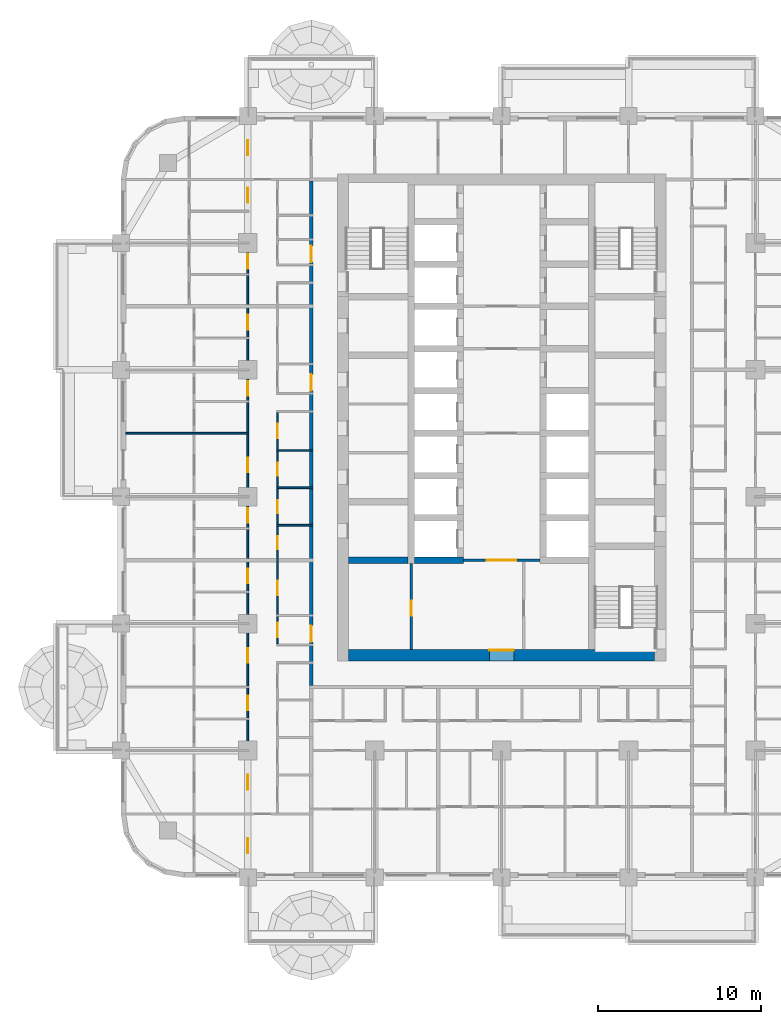
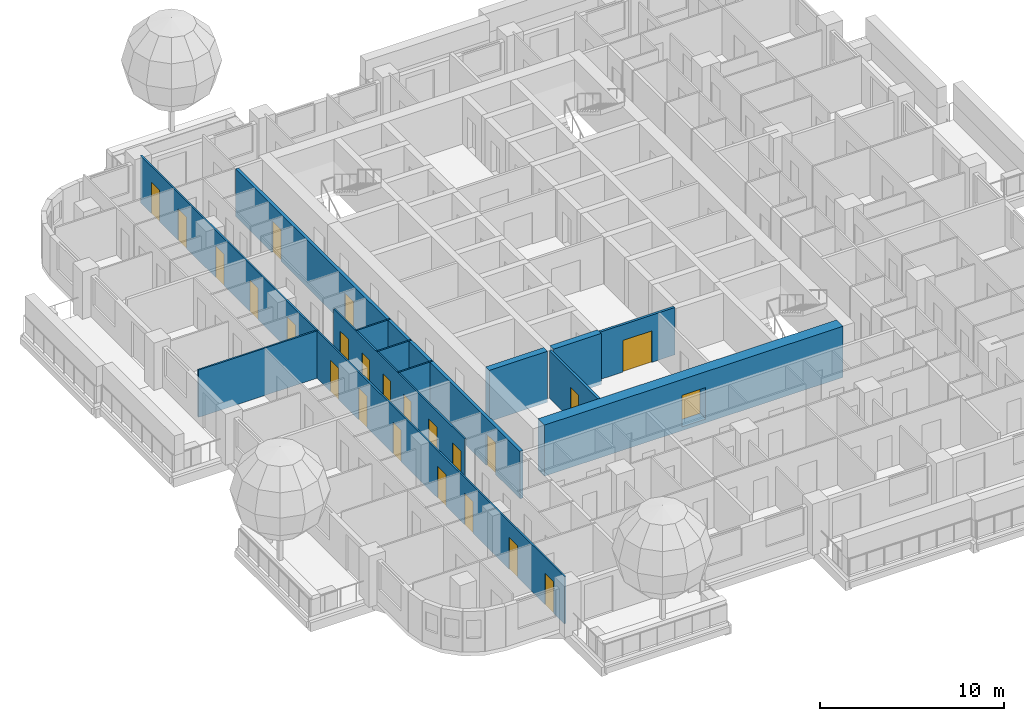
# One storey, part 6 of 19: 24 doors, 12 walls, 24 openings.
"""IFC4 building model written with IfcOpenShell, lengths in metres."""

from ifc_helpers import new_model, si_unit, direction, frame, frame_2d, origin, place, context, subcontext, project, spatial, rectangle, extrude, material, layer, layer_set, type_object, element, fill, save


model = new_model("IFC4")

# Units and contexts
model_context = context("Model", 3, precision=1e-05, world=origin(), true_north=direction((0.0, 1.0)))
body_context = subcontext(model_context, "Body", "Model", "MODEL_VIEW")
ifc_project = project(units=[si_unit("LENGTHUNIT", "METRE"), si_unit("AREAUNIT", "SQUARE_METRE"), si_unit("VOLUMEUNIT", "CUBIC_METRE"), si_unit("PLANEANGLEUNIT", "RADIAN"), si_unit("MASSUNIT", "GRAM", prefix="KILO")], contexts=[model_context])

# Site, building, storey
site_placement = place(None, origin())
site = spatial("IfcSite", under=ifc_project, at=site_placement, CompositionType="ELEMENT")
building_placement = place(site_placement, origin())
building = spatial("IfcBuilding", under=site, at=building_placement, Name="Ludao Terraces", CompositionType="ELEMENT")
storey_placement = place(building_placement, frame((0.0, 0.0, 36.5)))
storey = spatial("IfcBuildingStorey", under=building, at=storey_placement, Name="L09", CompositionType="ELEMENT", Elevation=36.5)

# Wall, opening, door
ifc_material_1 = material(Name="Concrete C70", Category="concrete")
ifc_layer_1 = layer(ifc_material_1, 0.699951171875)
ifc_layer_set_1 = layer_set([ifc_layer_1], Name="Core wall 700 C70")
wall_type_1 = type_object("IfcWallType", Name="Core wall 700 C70", PredefinedType="SOLIDWALL", material=ifc_layer_set_1)
wall_1_placement = place(storey_placement, frame((75.60009765625, 55.25, -0.25), z_axis=(0.0, 0.0, 1.0), x_axis=(1.0, 0.0, 0.0)))
wall_1 = element("IfcWall", 1, at=wall_1_placement, inside=storey, type_object=wall_type_1, Name="Core wall L09 outer-S", PredefinedType="SOLIDWALL", context=body_context, shape_type="SweptSolid", body=[
    extrude(rectangle(XDim=18.7998046875, YDim=0.699951171875, at=frame_2d((9.39990234375, 0.0))), origin(), (0.0, 0.0, 1.0), 3.39990234375),
])
opening_1_placement = place(wall_1_placement, frame((8.64990234375, 0.0, 0.25)))
opening_1 = element("IfcOpeningElement", 2, at=opening_1_placement, cuts=wall_1, Name="Opening R02-053", PredefinedType="OPENING", context=body_context, shape_type="SweptSolid", body=[
    extrude(rectangle(XDim=1.5, YDim=2.10009765625, at=frame_2d((0.75, 1.050048828125))), frame((0.0, 0.35986328125, 0.0), z_axis=(0.0, -1.0, 0.0), x_axis=(1.0, 0.0, 0.0)), (0.0, 0.0, 1.0), 0.719970703125),
])
ifc_material_2 = material(Name="Steel Q235", Category="steel")
door_type_1 = type_object("IfcDoorType", Name="INT Lobby door 1500", OperationType="DOUBLE_DOOR_SINGLE_SWING", PredefinedType="DOOR", material=ifc_material_2)
door_1_placement = place(opening_1_placement, origin())
door_1 = element("IfcDoor", 3, at=door_1_placement, inside=storey, type_object=door_type_1, Name="DOOR 053", OperationType="DOUBLE_DOOR_SINGLE_SWING", OverallHeight=2.10009765625, OverallWidth=1.5, PredefinedType="DOOR", context=body_context, shape_type="SweptSolid", body=[
    extrude(rectangle(XDim=1.5, YDim=2.10009765625, at=frame_2d((0.75, 1.050048828125))), frame((0.0, 0.3349609375, 0.0), z_axis=(0.0, -1.0, 0.0), x_axis=(1.0, 0.0, 0.0)), (0.0, 0.0, 1.0), 0.050048828125),
])
fill(opening_1, door_1)

ifc_material_3 = material(Name="Fire-rated gypsum plasterboard", Category="gypsum")
ifc_layer_2 = layer(ifc_material_3, 0.012451171875, Category="gypsum")
ifc_material_4 = material(Name="Mineral wool")
ifc_layer_3 = layer(ifc_material_4, 0.10009765625, Name="insulation")
ifc_layer_4 = layer(ifc_material_2, 0.02490234375, Name="stud")
ifc_layer_5 = layer(ifc_material_3, 0.012451171875, Category="gypsum")
ifc_layer_set_2 = layer_set([ifc_layer_2, ifc_layer_3, ifc_layer_4, ifc_layer_5], Name="INT Core partition 150")
wall_type_2 = type_object("IfcWallType", Name="INT Core partition 150", PredefinedType="PARTITIONING", material=ifc_layer_set_2)
wall_2_placement = place(storey_placement, frame((82.650146484375, 61.10009765625, 0.0), z_axis=(0.0, 0.0, 1.0), x_axis=(1.0, 0.0, 0.0)))
wall_2 = element("IfcWall", 4, at=wall_2_placement, inside=storey, type_object=wall_type_2, Name="PW-L09-PW032", PredefinedType="PARTITIONING", context=body_context, shape_type="SweptSolid", body=[
    extrude(rectangle(XDim=4.699951171875, YDim=0.14990234375, at=frame_2d((2.35009765625, 0.0))), origin(), (0.0, 0.0, 1.0), 3.14990234375),
])
opening_2_placement = place(wall_2_placement, frame((1.449951171875, 0.0, 0.0)))
opening_2 = element("IfcOpeningElement", 5, at=opening_2_placement, cuts=wall_2, Name="Opening R02-071", PredefinedType="OPENING", context=body_context, shape_type="SweptSolid", body=[
    extrude(rectangle(XDim=1.800048828125, YDim=2.10009765625, at=frame_2d((0.89990234375, 1.050048828125))), frame((0.0, 0.0849609375, 0.0), z_axis=(0.0, -1.0, 0.0), x_axis=(1.0, 0.0, 0.0)), (0.0, 0.0, 1.0), 0.169921875),
])
door_type_2 = type_object("IfcDoorType", Name="INT Fire lobby door 1800", OperationType="DOUBLE_DOOR_SINGLE_SWING", PredefinedType="DOOR", material=ifc_material_2)
door_2_placement = place(opening_2_placement, origin())
door_2 = element("IfcDoor", 6, at=door_2_placement, inside=storey, type_object=door_type_2, Name="DOOR 071", OperationType="DOUBLE_DOOR_SINGLE_SWING", OverallHeight=2.10009765625, OverallWidth=1.800048828125, PredefinedType="DOOR", context=body_context, shape_type="SweptSolid", body=[
    extrude(rectangle(XDim=1.800048828125, YDim=2.10009765625, at=frame_2d((0.89990234375, 1.050048828125))), frame((0.0, 0.02490234375, 0.0), z_axis=(0.0, -1.0, 0.0), x_axis=(1.0, 0.0, 0.0)), (0.0, 0.0, 1.0), 0.050048828125),
])
fill(opening_2, door_2)

wall_3_placement = place(storey_placement, frame((79.449951171875, 55.60009765625, 0.0), z_axis=(0.0, 0.0, 1.0), x_axis=(0.0, 1.0, 0.0)))
wall_3 = element("IfcWall", 7, at=wall_3_placement, inside=storey, type_object=wall_type_2, Name="PW-L09-PW097", PredefinedType="PARTITIONING", context=body_context, shape_type="SweptSolid", body=[
    extrude(rectangle(XDim=5.300048828125, YDim=0.14990234375, at=frame_2d((2.64990234375, 0.0))), origin(), (0.0, 0.0, 1.0), 3.14990234375),
])
opening_3_placement = place(wall_3_placement, frame((2.10009765625, 0.0, 0.0)))
opening_3 = element("IfcOpeningElement", 8, at=opening_3_placement, cuts=wall_3, Name="Opening R02-061", PredefinedType="OPENING", context=body_context, shape_type="SweptSolid", body=[
    extrude(rectangle(XDim=0.89990234375, YDim=2.10009765625, at=frame_2d((0.449951171875, 1.050048828125))), frame((0.0, 0.0849609375, 0.0), z_axis=(0.0, -1.0, 0.0), x_axis=(1.0, 0.0, 0.0)), (0.0, 0.0, 1.0), 0.169921875),
])
ifc_material_5 = material(Name="Timber door leaf", Category="wood")
door_type_3 = type_object("IfcDoorType", Name="INT Room door 900", OperationType="SINGLE_SWING_LEFT", PredefinedType="DOOR", material=ifc_material_5)
door_3_placement = place(opening_3_placement, origin())
door_3 = element("IfcDoor", 9, at=door_3_placement, inside=storey, type_object=door_type_3, Name="DOOR 061", OperationType="SINGLE_SWING_LEFT", OverallHeight=2.10009765625, OverallWidth=0.89990234375, PredefinedType="DOOR", context=body_context, shape_type="SweptSolid", body=[
    extrude(rectangle(XDim=0.89990234375, YDim=2.10009765625, at=frame_2d((0.449951171875, 1.050048828125))), frame((0.0, 0.02490234375, 0.0), z_axis=(0.0, -1.0, 0.0), x_axis=(1.0, 0.0, 0.0)), (0.0, 0.0, 1.0), 0.050048828125),
])
fill(opening_3, door_3)

# Wall, openings, doors
ifc_material_6 = material(Name="Autoclaved aerated concrete block B06 A3.5", Category="concrete")
ifc_layer_6 = layer(ifc_material_6, 0.199951171875)
ifc_layer_set_3 = layer_set([ifc_layer_6], Name="INT Entrance wall 200")
wall_type_3 = type_object("IfcWallType", Name="INT Entrance wall 200", PredefinedType="PARTITIONING", material=ifc_layer_set_3)
wall_4_placement = place(storey_placement, frame((73.300048828125, 53.400146484375, 0.0), z_axis=(0.0, 0.0, 1.0), x_axis=(0.0, 1.0, 0.0)))
wall_4 = element("IfcWall", 10, at=wall_4_placement, inside=storey, type_object=wall_type_3, Name="PW-L09-PW089", PredefinedType="PARTITIONING", context=body_context, shape_type="SweptSolid", body=[
    extrude(rectangle(XDim=31.0, YDim=0.199951171875, at=frame_2d((15.5, 0.0))), origin(), (0.0, 0.0, 1.0), 3.14990234375),
])
opening_4_placement = place(wall_4_placement, frame((2.675048828125, 0.0, 0.0)))
opening_4 = element("IfcOpeningElement", 11, at=opening_4_placement, cuts=wall_4, Name="Opening R02-058", PredefinedType="OPENING", context=body_context, shape_type="SweptSolid", body=[
    extrude(rectangle(XDim=1.0, YDim=2.10009765625, at=frame_2d((0.5, 1.050048828125))), frame((0.0, 0.10986328125, 0.0), z_axis=(0.0, -1.0, 0.0), x_axis=(1.0, 0.0, 0.0)), (0.0, 0.0, 1.0), 0.219970703125),
])
opening_5_placement = place(wall_4_placement, frame((18.125, 0.0, 0.0)))
opening_5 = element("IfcOpeningElement", 12, at=opening_5_placement, cuts=wall_4, Name="Opening R02-107", PredefinedType="OPENING", context=body_context, shape_type="SweptSolid", body=[
    extrude(rectangle(XDim=1.0, YDim=2.10009765625, at=frame_2d((0.5, 1.050048828125))), frame((0.0, 0.10986328125, 0.0), z_axis=(0.0, -1.0, 0.0), x_axis=(1.0, 0.0, 0.0)), (0.0, 0.0, 1.0), 0.219970703125),
])
opening_6_placement = place(wall_4_placement, frame((26.02490234375, 0.0, 0.0)))
opening_6 = element("IfcOpeningElement", 13, at=opening_6_placement, cuts=wall_4, Name="Opening R02-140", PredefinedType="OPENING", context=body_context, shape_type="SweptSolid", body=[
    extrude(rectangle(XDim=1.0, YDim=2.10009765625, at=frame_2d((0.5, 1.050048828125))), frame((0.0, 0.10986328125, 0.0), z_axis=(0.0, -1.0, 0.0), x_axis=(1.0, 0.0, 0.0)), (0.0, 0.0, 1.0), 0.219970703125),
])
door_type_4 = type_object("IfcDoorType", Name="INT Flat entrance door 1000", OperationType="SINGLE_SWING_LEFT", PredefinedType="DOOR", material=ifc_material_2)
door_4_placement = place(opening_4_placement, origin())
door_4 = element("IfcDoor", 14, at=door_4_placement, inside=storey, type_object=door_type_4, Name="DOOR 058", OperationType="SINGLE_SWING_RIGHT", OverallHeight=2.10009765625, OverallWidth=1.0, PredefinedType="DOOR", context=body_context, shape_type="SweptSolid", body=[
    extrude(rectangle(XDim=1.0, YDim=2.10009765625, at=frame_2d((0.5, 1.050048828125))), frame((0.0, 0.02490234375, 0.0), z_axis=(0.0, -1.0, 0.0), x_axis=(1.0, 0.0, 0.0)), (0.0, 0.0, 1.0), 0.050048828125),
])
fill(opening_4, door_4)
door_5_placement = place(opening_5_placement, origin())
door_5 = element("IfcDoor", 15, at=door_5_placement, inside=storey, type_object=door_type_4, Name="DOOR 107", OperationType="SINGLE_SWING_RIGHT", OverallHeight=2.10009765625, OverallWidth=1.0, PredefinedType="DOOR", context=body_context, shape_type="SweptSolid", body=[
    extrude(rectangle(XDim=1.0, YDim=2.10009765625, at=frame_2d((0.5, 1.050048828125))), frame((0.0, 0.02490234375, 0.0), z_axis=(0.0, -1.0, 0.0), x_axis=(1.0, 0.0, 0.0)), (0.0, 0.0, 1.0), 0.050048828125),
])
fill(opening_5, door_5)
door_6_placement = place(opening_6_placement, origin())
door_6 = element("IfcDoor", 16, at=door_6_placement, inside=storey, type_object=door_type_4, Name="DOOR 140", OperationType="SINGLE_SWING_RIGHT", OverallHeight=2.10009765625, OverallWidth=1.0, PredefinedType="DOOR", context=body_context, shape_type="SweptSolid", body=[
    extrude(rectangle(XDim=1.0, YDim=2.10009765625, at=frame_2d((0.5, 1.050048828125))), frame((0.0, 0.02490234375, 0.0), z_axis=(0.0, -1.0, 0.0), x_axis=(1.0, 0.0, 0.0)), (0.0, 0.0, 1.0), 0.050048828125),
])
fill(opening_6, door_6)

# Walls
ifc_material_7 = material(Name="Gypsum plasterboard", Category="gypsum")
ifc_layer_7 = layer(ifc_material_7, 0.012451171875, Category="gypsum")
ifc_layer_8 = layer(ifc_material_4, 0.06005859375, Name="insulation")
ifc_layer_9 = layer(ifc_material_2, 0.014892578125, Name="stud")
ifc_layer_10 = layer(ifc_material_7, 0.012451171875, Category="gypsum")
ifc_layer_set_4 = layer_set([ifc_layer_7, ifc_layer_8, ifc_layer_9, ifc_layer_10], Name="INT Partition 100")
wall_type_4 = type_object("IfcWallType", Name="INT Partition 100", PredefinedType="PARTITIONING", material=ifc_layer_set_4)
for number, where, z_axis, x_axis, name in (
    (17, (71.18017578125, 63.25, 0.0), (0.0, 0.0, 1.0), (1.0, 0.0, 0.0), "PW-L09-PW036"),
    (18, (71.18017578125, 65.550048828125, 0.0), (0.0, 0.0, 1.0), (1.0, 0.0, 0.0), "PW-L09-PW041"),
    (19, (71.18017578125, 67.85009765625, 0.0), (0.0, 0.0, 1.0), (1.0, 0.0, 0.0), "PW-L09-PW045"),
):
    element("IfcWall", number, at=place(storey_placement, frame(where, z_axis=z_axis, x_axis=x_axis)), inside=storey, type_object=wall_type_4, Name=name, PredefinedType="PARTITIONING", context=body_context, shape_type="SweptSolid", body=[
        extrude(rectangle(XDim=2.219970703125, YDim=0.10009765625, at=frame_2d((1.10986328125, 0.0))), origin(), (0.0, 0.0, 1.0), 3.14990234375),
    ])
wall_5_placement = place(storey_placement, frame((61.900146484375, 68.89990234375, 0.0), z_axis=(0.0, 0.0, 1.0), x_axis=(1.0, 0.0, 0.0)))
element("IfcWall", 20, at=wall_5_placement, inside=storey, type_object=wall_type_4, Name="PW-L09-PW046", PredefinedType="PARTITIONING", context=body_context, shape_type="SweptSolid", body=[
    extrude(rectangle(XDim=7.550048828125, YDim=0.10009765625, at=frame_2d((3.77490234375, 0.0))), origin(), (0.0, 0.0, 1.0), 3.14990234375),
])

# Wall, openings, doors
wall_6_placement = place(storey_placement, frame((69.39990234375, 41.900146484375, 0.0), z_axis=(0.0, 0.0, 1.0), x_axis=(0.0, 1.0, 0.0)))
wall_6 = element("IfcWall", 21, at=wall_6_placement, inside=storey, type_object=wall_type_4, Name="PW-L09-PW083", PredefinedType="PARTITIONING", context=body_context, shape_type="SweptSolid", body=[
    extrude(rectangle(XDim=46.199951171875, YDim=0.10009765625, at=frame_2d((23.10009765625, 0.0))), origin(), (0.0, 0.0, 1.0), 3.14990234375),
])
opening_7_placement = place(wall_6_placement, frame((1.199951171875, 0.0, 0.0)))
opening_7 = element("IfcOpeningElement", 22, at=opening_7_placement, cuts=wall_6, Name="Opening R02-002", PredefinedType="OPENING", context=body_context, shape_type="SweptSolid", body=[
    extrude(rectangle(XDim=0.89990234375, YDim=2.10009765625, at=frame_2d((0.449951171875, 1.050048828125))), frame((0.0, 0.06005859375, 0.0), z_axis=(0.0, -1.0, 0.0), x_axis=(1.0, 0.0, 0.0)), (0.0, 0.0, 1.0), 0.1201171875),
])
opening_8_placement = place(wall_6_placement, frame((5.10009765625, 0.0, 0.0)))
opening_8 = element("IfcOpeningElement", 23, at=opening_8_placement, cuts=wall_6, Name="Opening R02-019", PredefinedType="OPENING", context=body_context, shape_type="SweptSolid", body=[
    extrude(rectangle(XDim=0.89990234375, YDim=2.10009765625, at=frame_2d((0.449951171875, 1.050048828125))), frame((0.0, 0.06005859375, 0.0), z_axis=(0.0, -1.0, 0.0), x_axis=(1.0, 0.0, 0.0)), (0.0, 0.0, 1.0), 0.1201171875),
])
opening_9_placement = place(wall_6_placement, frame((9.97509765625, 0.0, 0.0)))
opening_9 = element("IfcOpeningElement", 24, at=opening_9_placement, cuts=wall_6, Name="Opening R02-044", PredefinedType="OPENING", context=body_context, shape_type="SweptSolid", body=[
    extrude(rectangle(XDim=0.89990234375, YDim=2.10009765625, at=frame_2d((0.449951171875, 1.050048828125))), frame((0.0, 0.06005859375, 0.0), z_axis=(0.0, -1.0, 0.0), x_axis=(1.0, 0.0, 0.0)), (0.0, 0.0, 1.0), 0.1201171875),
])
opening_10_placement = place(wall_6_placement, frame((12.89990234375, 0.0, 0.0)))
opening_10 = element("IfcOpeningElement", 25, at=opening_10_placement, cuts=wall_6, Name="Opening R02-052", PredefinedType="OPENING", context=body_context, shape_type="SweptSolid", body=[
    extrude(rectangle(XDim=0.89990234375, YDim=2.10009765625, at=frame_2d((0.449951171875, 1.050048828125))), frame((0.0, 0.06005859375, 0.0), z_axis=(0.0, -1.0, 0.0), x_axis=(1.0, 0.0, 0.0)), (0.0, 0.0, 1.0), 0.1201171875),
])
opening_11_placement = place(wall_6_placement, frame((17.77490234375, 0.0, 0.0)))
opening_11 = element("IfcOpeningElement", 26, at=opening_11_placement, cuts=wall_6, Name="Opening R02-068", PredefinedType="OPENING", context=body_context, shape_type="SweptSolid", body=[
    extrude(rectangle(XDim=0.89990234375, YDim=2.10009765625, at=frame_2d((0.449951171875, 1.050048828125))), frame((0.0, 0.06005859375, 0.0), z_axis=(0.0, -1.0, 0.0), x_axis=(1.0, 0.0, 0.0)), (0.0, 0.0, 1.0), 0.1201171875),
])
opening_12_placement = place(wall_6_placement, frame((21.5, 0.0, 0.0)))
opening_12 = element("IfcOpeningElement", 27, at=opening_12_placement, cuts=wall_6, Name="Opening R02-079", PredefinedType="OPENING", context=body_context, shape_type="SweptSolid", body=[
    extrude(rectangle(XDim=0.89990234375, YDim=2.10009765625, at=frame_2d((0.449951171875, 1.050048828125))), frame((0.0, 0.06005859375, 0.0), z_axis=(0.0, -1.0, 0.0), x_axis=(1.0, 0.0, 0.0)), (0.0, 0.0, 1.0), 0.1201171875),
])
opening_13_placement = place(wall_6_placement, frame((24.60009765625, 0.0, 0.0)))
opening_13 = element("IfcOpeningElement", 28, at=opening_13_placement, cuts=wall_6, Name="Opening R02-090", PredefinedType="OPENING", context=body_context, shape_type="SweptSolid", body=[
    extrude(rectangle(XDim=0.89990234375, YDim=2.10009765625, at=frame_2d((0.449951171875, 1.050048828125))), frame((0.0, 0.06005859375, 0.0), z_axis=(0.0, -1.0, 0.0), x_axis=(1.0, 0.0, 0.0)), (0.0, 0.0, 1.0), 0.1201171875),
])
opening_14_placement = place(wall_6_placement, frame((29.300048828125, 0.0, 0.0)))
opening_14 = element("IfcOpeningElement", 29, at=opening_14_placement, cuts=wall_6, Name="Opening R02-105", PredefinedType="OPENING", context=body_context, shape_type="SweptSolid", body=[
    extrude(rectangle(XDim=0.89990234375, YDim=2.10009765625, at=frame_2d((0.449951171875, 1.050048828125))), frame((0.0, 0.06005859375, 0.0), z_axis=(0.0, -1.0, 0.0), x_axis=(1.0, 0.0, 0.0)), (0.0, 0.0, 1.0), 0.1201171875),
])
opening_15_placement = place(wall_6_placement, frame((33.375, 0.0, 0.0)))
opening_15 = element("IfcOpeningElement", 30, at=opening_15_placement, cuts=wall_6, Name="Opening R02-123", PredefinedType="OPENING", context=body_context, shape_type="SweptSolid", body=[
    extrude(rectangle(XDim=0.89990234375, YDim=2.10009765625, at=frame_2d((0.449951171875, 1.050048828125))), frame((0.0, 0.06005859375, 0.0), z_axis=(0.0, -1.0, 0.0), x_axis=(1.0, 0.0, 0.0)), (0.0, 0.0, 1.0), 0.1201171875),
])
opening_16_placement = place(wall_6_placement, frame((37.10009765625, 0.0, 0.0)))
opening_16 = element("IfcOpeningElement", 31, at=opening_16_placement, cuts=wall_6, Name="Opening R02-135", PredefinedType="OPENING", context=body_context, shape_type="SweptSolid", body=[
    extrude(rectangle(XDim=0.89990234375, YDim=2.10009765625, at=frame_2d((0.449951171875, 1.050048828125))), frame((0.0, 0.06005859375, 0.0), z_axis=(0.0, -1.0, 0.0), x_axis=(1.0, 0.0, 0.0)), (0.0, 0.0, 1.0), 0.1201171875),
])
opening_17_placement = place(wall_6_placement, frame((41.175048828125, 0.0, 0.0)))
opening_17 = element("IfcOpeningElement", 32, at=opening_17_placement, cuts=wall_6, Name="Opening R02-153", PredefinedType="OPENING", context=body_context, shape_type="SweptSolid", body=[
    extrude(rectangle(XDim=0.89990234375, YDim=2.10009765625, at=frame_2d((0.449951171875, 1.050048828125))), frame((0.0, 0.06005859375, 0.0), z_axis=(0.0, -1.0, 0.0), x_axis=(1.0, 0.0, 0.0)), (0.0, 0.0, 1.0), 0.1201171875),
])
opening_18_placement = place(wall_6_placement, frame((44.10009765625, 0.0, 0.0)))
opening_18 = element("IfcOpeningElement", 33, at=opening_18_placement, cuts=wall_6, Name="Opening R02-158", PredefinedType="OPENING", context=body_context, shape_type="SweptSolid", body=[
    extrude(rectangle(XDim=0.89990234375, YDim=2.10009765625, at=frame_2d((0.449951171875, 1.050048828125))), frame((0.0, 0.06005859375, 0.0), z_axis=(0.0, -1.0, 0.0), x_axis=(1.0, 0.0, 0.0)), (0.0, 0.0, 1.0), 0.1201171875),
])
door_7_placement = place(opening_7_placement, origin())
door_7 = element("IfcDoor", 34, at=door_7_placement, inside=storey, type_object=door_type_3, Name="DOOR 002", OperationType="SINGLE_SWING_LEFT", OverallHeight=2.10009765625, OverallWidth=0.89990234375, PredefinedType="DOOR", context=body_context, shape_type="SweptSolid", body=[
    extrude(rectangle(XDim=0.89990234375, YDim=2.10009765625, at=frame_2d((0.449951171875, 1.050048828125))), frame((0.0, 0.02490234375, 0.0), z_axis=(0.0, -1.0, 0.0), x_axis=(1.0, 0.0, 0.0)), (0.0, 0.0, 1.0), 0.050048828125),
])
fill(opening_7, door_7)
door_8_placement = place(opening_8_placement, origin())
door_8 = element("IfcDoor", 35, at=door_8_placement, inside=storey, type_object=door_type_3, Name="DOOR 019", OperationType="SINGLE_SWING_LEFT", OverallHeight=2.10009765625, OverallWidth=0.89990234375, PredefinedType="DOOR", context=body_context, shape_type="SweptSolid", body=[
    extrude(rectangle(XDim=0.89990234375, YDim=2.10009765625, at=frame_2d((0.449951171875, 1.050048828125))), frame((0.0, 0.02490234375, 0.0), z_axis=(0.0, -1.0, 0.0), x_axis=(1.0, 0.0, 0.0)), (0.0, 0.0, 1.0), 0.050048828125),
])
fill(opening_8, door_8)
door_9_placement = place(opening_9_placement, origin())
door_9 = element("IfcDoor", 36, at=door_9_placement, inside=storey, type_object=door_type_3, Name="DOOR 044", OperationType="SINGLE_SWING_RIGHT", OverallHeight=2.10009765625, OverallWidth=0.89990234375, PredefinedType="DOOR", context=body_context, shape_type="SweptSolid", body=[
    extrude(rectangle(XDim=0.89990234375, YDim=2.10009765625, at=frame_2d((0.449951171875, 1.050048828125))), frame((0.0, 0.02490234375, 0.0), z_axis=(0.0, -1.0, 0.0), x_axis=(1.0, 0.0, 0.0)), (0.0, 0.0, 1.0), 0.050048828125),
])
fill(opening_9, door_9)
door_10_placement = place(opening_10_placement, origin())
door_10 = element("IfcDoor", 37, at=door_10_placement, inside=storey, type_object=door_type_3, Name="DOOR 052", OperationType="SINGLE_SWING_RIGHT", OverallHeight=2.10009765625, OverallWidth=0.89990234375, PredefinedType="DOOR", context=body_context, shape_type="SweptSolid", body=[
    extrude(rectangle(XDim=0.89990234375, YDim=2.10009765625, at=frame_2d((0.449951171875, 1.050048828125))), frame((0.0, 0.02490234375, 0.0), z_axis=(0.0, -1.0, 0.0), x_axis=(1.0, 0.0, 0.0)), (0.0, 0.0, 1.0), 0.050048828125),
])
fill(opening_10, door_10)
door_11_placement = place(opening_11_placement, origin())
door_11 = element("IfcDoor", 38, at=door_11_placement, inside=storey, type_object=door_type_3, Name="DOOR 068", OperationType="SINGLE_SWING_LEFT", OverallHeight=2.10009765625, OverallWidth=0.89990234375, PredefinedType="DOOR", context=body_context, shape_type="SweptSolid", body=[
    extrude(rectangle(XDim=0.89990234375, YDim=2.10009765625, at=frame_2d((0.449951171875, 1.050048828125))), frame((0.0, 0.02490234375, 0.0), z_axis=(0.0, -1.0, 0.0), x_axis=(1.0, 0.0, 0.0)), (0.0, 0.0, 1.0), 0.050048828125),
])
fill(opening_11, door_11)
door_12_placement = place(opening_12_placement, origin())
door_12 = element("IfcDoor", 39, at=door_12_placement, inside=storey, type_object=door_type_3, Name="DOOR 079", OperationType="SINGLE_SWING_LEFT", OverallHeight=2.10009765625, OverallWidth=0.89990234375, PredefinedType="DOOR", context=body_context, shape_type="SweptSolid", body=[
    extrude(rectangle(XDim=0.89990234375, YDim=2.10009765625, at=frame_2d((0.449951171875, 1.050048828125))), frame((0.0, 0.02490234375, 0.0), z_axis=(0.0, -1.0, 0.0), x_axis=(1.0, 0.0, 0.0)), (0.0, 0.0, 1.0), 0.050048828125),
])
fill(opening_12, door_12)
door_13_placement = place(opening_13_placement, origin())
door_13 = element("IfcDoor", 40, at=door_13_placement, inside=storey, type_object=door_type_3, Name="DOOR 090", OperationType="SINGLE_SWING_LEFT", OverallHeight=2.10009765625, OverallWidth=0.89990234375, PredefinedType="DOOR", context=body_context, shape_type="SweptSolid", body=[
    extrude(rectangle(XDim=0.89990234375, YDim=2.10009765625, at=frame_2d((0.449951171875, 1.050048828125))), frame((0.0, 0.02490234375, 0.0), z_axis=(0.0, -1.0, 0.0), x_axis=(1.0, 0.0, 0.0)), (0.0, 0.0, 1.0), 0.050048828125),
])
fill(opening_13, door_13)
door_14_placement = place(opening_14_placement, origin())
door_14 = element("IfcDoor", 41, at=door_14_placement, inside=storey, type_object=door_type_3, Name="DOOR 105", OperationType="SINGLE_SWING_LEFT", OverallHeight=2.10009765625, OverallWidth=0.89990234375, PredefinedType="DOOR", context=body_context, shape_type="SweptSolid", body=[
    extrude(rectangle(XDim=0.89990234375, YDim=2.10009765625, at=frame_2d((0.449951171875, 1.050048828125))), frame((0.0, 0.02490234375, 0.0), z_axis=(0.0, -1.0, 0.0), x_axis=(1.0, 0.0, 0.0)), (0.0, 0.0, 1.0), 0.050048828125),
])
fill(opening_14, door_14)
door_15_placement = place(opening_15_placement, origin())
door_15 = element("IfcDoor", 42, at=door_15_placement, inside=storey, type_object=door_type_3, Name="DOOR 123", OperationType="SINGLE_SWING_RIGHT", OverallHeight=2.10009765625, OverallWidth=0.89990234375, PredefinedType="DOOR", context=body_context, shape_type="SweptSolid", body=[
    extrude(rectangle(XDim=0.89990234375, YDim=2.10009765625, at=frame_2d((0.449951171875, 1.050048828125))), frame((0.0, 0.02490234375, 0.0), z_axis=(0.0, -1.0, 0.0), x_axis=(1.0, 0.0, 0.0)), (0.0, 0.0, 1.0), 0.050048828125),
])
fill(opening_15, door_15)
door_16_placement = place(opening_16_placement, origin())
door_16 = element("IfcDoor", 43, at=door_16_placement, inside=storey, type_object=door_type_3, Name="DOOR 135", OperationType="SINGLE_SWING_LEFT", OverallHeight=2.10009765625, OverallWidth=0.89990234375, PredefinedType="DOOR", context=body_context, shape_type="SweptSolid", body=[
    extrude(rectangle(XDim=0.89990234375, YDim=2.10009765625, at=frame_2d((0.449951171875, 1.050048828125))), frame((0.0, 0.02490234375, 0.0), z_axis=(0.0, -1.0, 0.0), x_axis=(1.0, 0.0, 0.0)), (0.0, 0.0, 1.0), 0.050048828125),
])
fill(opening_16, door_16)
door_17_placement = place(opening_17_placement, origin())
door_17 = element("IfcDoor", 44, at=door_17_placement, inside=storey, type_object=door_type_3, Name="DOOR 153", OperationType="SINGLE_SWING_LEFT", OverallHeight=2.10009765625, OverallWidth=0.89990234375, PredefinedType="DOOR", context=body_context, shape_type="SweptSolid", body=[
    extrude(rectangle(XDim=0.89990234375, YDim=2.10009765625, at=frame_2d((0.449951171875, 1.050048828125))), frame((0.0, 0.02490234375, 0.0), z_axis=(0.0, -1.0, 0.0), x_axis=(1.0, 0.0, 0.0)), (0.0, 0.0, 1.0), 0.050048828125),
])
fill(opening_17, door_17)
door_18_placement = place(opening_18_placement, origin())
door_18 = element("IfcDoor", 45, at=door_18_placement, inside=storey, type_object=door_type_3, Name="DOOR 158", OperationType="SINGLE_SWING_RIGHT", OverallHeight=2.10009765625, OverallWidth=0.89990234375, PredefinedType="DOOR", context=body_context, shape_type="SweptSolid", body=[
    extrude(rectangle(XDim=0.89990234375, YDim=2.10009765625, at=frame_2d((0.449951171875, 1.050048828125))), frame((0.0, 0.02490234375, 0.0), z_axis=(0.0, -1.0, 0.0), x_axis=(1.0, 0.0, 0.0)), (0.0, 0.0, 1.0), 0.050048828125),
])
fill(opening_18, door_18)

wall_7_placement = place(storey_placement, frame((71.22998046875, 55.9501953125, 0.0), z_axis=(0.0, 0.0, 1.0), x_axis=(0.0, 1.0, 0.0)))
wall_7 = element("IfcWall", 46, at=wall_7_placement, inside=storey, type_object=wall_type_4, Name="PW-L09-PW085", PredefinedType="PARTITIONING", context=body_context, shape_type="SweptSolid", body=[
    extrude(rectangle(XDim=14.25, YDim=0.10009765625, at=frame_2d((7.125, 0.0))), origin(), (0.0, 0.0, 1.0), 3.14990234375),
])
opening_19_placement = place(wall_7_placement, frame((0.39990234375, 0.0, 0.0)))
opening_19 = element("IfcOpeningElement", 47, at=opening_19_placement, cuts=wall_7, Name="Opening R02-059", PredefinedType="OPENING", context=body_context, shape_type="SweptSolid", body=[
    extrude(rectangle(XDim=0.89990234375, YDim=2.10009765625, at=frame_2d((0.449951171875, 1.050048828125))), frame((0.0, 0.06005859375, 0.0), z_axis=(0.0, -1.0, 0.0), x_axis=(1.0, 0.0, 0.0)), (0.0, 0.0, 1.0), 0.1201171875),
])
opening_20_placement = place(wall_7_placement, frame((3.0, 0.0, 0.0)))
opening_20 = element("IfcOpeningElement", 48, at=opening_20_placement, cuts=wall_7, Name="Opening R02-065", PredefinedType="OPENING", context=body_context, shape_type="SweptSolid", body=[
    extrude(rectangle(XDim=0.89990234375, YDim=2.10009765625, at=frame_2d((0.449951171875, 1.050048828125))), frame((0.0, 0.06005859375, 0.0), z_axis=(0.0, -1.0, 0.0), x_axis=(1.0, 0.0, 0.0)), (0.0, 0.0, 1.0), 0.1201171875),
])
opening_21_placement = place(wall_7_placement, frame((5.824951171875, 0.0, 0.0)))
opening_21 = element("IfcOpeningElement", 49, at=opening_21_placement, cuts=wall_7, Name="Opening R02-074", PredefinedType="OPENING", context=body_context, shape_type="SweptSolid", body=[
    extrude(rectangle(XDim=0.800048828125, YDim=2.10009765625, at=frame_2d((0.39990234375, 1.050048828125))), frame((0.0, 0.06005859375, 0.0), z_axis=(0.0, -1.0, 0.0), x_axis=(1.0, 0.0, 0.0)), (0.0, 0.0, 1.0), 0.1201171875),
])
opening_22_placement = place(wall_7_placement, frame((8.0498046875, 0.0, 0.0)))
opening_22 = element("IfcOpeningElement", 50, at=opening_22_placement, cuts=wall_7, Name="Opening R02-083", PredefinedType="OPENING", context=body_context, shape_type="SweptSolid", body=[
    extrude(rectangle(XDim=0.800048828125, YDim=2.10009765625, at=frame_2d((0.39990234375, 1.050048828125))), frame((0.0, 0.06005859375, 0.0), z_axis=(0.0, -1.0, 0.0), x_axis=(1.0, 0.0, 0.0)), (0.0, 0.0, 1.0), 0.1201171875),
])
opening_23_placement = place(wall_7_placement, frame((10.349853515625, 0.0, 0.0)))
opening_23 = element("IfcOpeningElement", 51, at=opening_23_placement, cuts=wall_7, Name="Opening R02-088", PredefinedType="OPENING", context=body_context, shape_type="SweptSolid", body=[
    extrude(rectangle(XDim=0.800048828125, YDim=2.10009765625, at=frame_2d((0.39990234375, 1.050048828125))), frame((0.0, 0.06005859375, 0.0), z_axis=(0.0, -1.0, 0.0), x_axis=(1.0, 0.0, 0.0)), (0.0, 0.0, 1.0), 0.1201171875),
])
opening_24_placement = place(wall_7_placement, frame((12.64990234375, 0.0, 0.0)))
opening_24 = element("IfcOpeningElement", 52, at=opening_24_placement, cuts=wall_7, Name="Opening R02-097", PredefinedType="OPENING", context=body_context, shape_type="SweptSolid", body=[
    extrude(rectangle(XDim=0.89990234375, YDim=2.10009765625, at=frame_2d((0.449951171875, 1.050048828125))), frame((0.0, 0.06005859375, 0.0), z_axis=(0.0, -1.0, 0.0), x_axis=(1.0, 0.0, 0.0)), (0.0, 0.0, 1.0), 0.1201171875),
])
door_type_5 = type_object("IfcDoorType", Name="INT Bathroom door 900", OperationType="SINGLE_SWING_LEFT", PredefinedType="DOOR", material=ifc_material_5)
door_19_placement = place(opening_19_placement, origin())
door_19 = element("IfcDoor", 53, at=door_19_placement, inside=storey, type_object=door_type_5, Name="DOOR 059", OperationType="SINGLE_SWING_RIGHT", OverallHeight=2.10009765625, OverallWidth=0.89990234375, PredefinedType="DOOR", context=body_context, shape_type="SweptSolid", body=[
    extrude(rectangle(XDim=0.89990234375, YDim=2.10009765625, at=frame_2d((0.449951171875, 1.050048828125))), frame((0.0, 0.02490234375, 0.0), z_axis=(0.0, -1.0, 0.0), x_axis=(1.0, 0.0, 0.0)), (0.0, 0.0, 1.0), 0.050048828125),
])
fill(opening_19, door_19)
door_20_placement = place(opening_24_placement, origin())
door_20 = element("IfcDoor", 54, at=door_20_placement, inside=storey, type_object=door_type_5, Name="DOOR 097", OperationType="SINGLE_SWING_RIGHT", OverallHeight=2.10009765625, OverallWidth=0.89990234375, PredefinedType="DOOR", context=body_context, shape_type="SweptSolid", body=[
    extrude(rectangle(XDim=0.89990234375, YDim=2.10009765625, at=frame_2d((0.449951171875, 1.050048828125))), frame((0.0, 0.02490234375, 0.0), z_axis=(0.0, -1.0, 0.0), x_axis=(1.0, 0.0, 0.0)), (0.0, 0.0, 1.0), 0.050048828125),
])
fill(opening_24, door_20)
door_21_placement = place(opening_20_placement, origin())
door_21 = element("IfcDoor", 55, at=door_21_placement, inside=storey, type_object=door_type_3, Name="DOOR 065", OperationType="SINGLE_SWING_LEFT", OverallHeight=2.10009765625, OverallWidth=0.89990234375, PredefinedType="DOOR", context=body_context, shape_type="SweptSolid", body=[
    extrude(rectangle(XDim=0.89990234375, YDim=2.10009765625, at=frame_2d((0.449951171875, 1.050048828125))), frame((0.0, 0.02490234375, 0.0), z_axis=(0.0, -1.0, 0.0), x_axis=(1.0, 0.0, 0.0)), (0.0, 0.0, 1.0), 0.050048828125),
])
fill(opening_20, door_21)
door_type_6 = type_object("IfcDoorType", Name="INT Store door 800", OperationType="SINGLE_SWING_LEFT", PredefinedType="DOOR", material=ifc_material_5)
door_22_placement = place(opening_21_placement, origin())
door_22 = element("IfcDoor", 56, at=door_22_placement, inside=storey, type_object=door_type_6, Name="DOOR 074", OperationType="SINGLE_SWING_RIGHT", OverallHeight=2.10009765625, OverallWidth=0.800048828125, PredefinedType="DOOR", context=body_context, shape_type="SweptSolid", body=[
    extrude(rectangle(XDim=0.800048828125, YDim=2.10009765625, at=frame_2d((0.39990234375, 1.050048828125))), frame((0.0, 0.02490234375, 0.0), z_axis=(0.0, -1.0, 0.0), x_axis=(1.0, 0.0, 0.0)), (0.0, 0.0, 1.0), 0.050048828125),
])
fill(opening_21, door_22)
door_23_placement = place(opening_22_placement, origin())
door_23 = element("IfcDoor", 57, at=door_23_placement, inside=storey, type_object=door_type_6, Name="DOOR 083", OperationType="SINGLE_SWING_LEFT", OverallHeight=2.10009765625, OverallWidth=0.800048828125, PredefinedType="DOOR", context=body_context, shape_type="SweptSolid", body=[
    extrude(rectangle(XDim=0.800048828125, YDim=2.10009765625, at=frame_2d((0.39990234375, 1.050048828125))), frame((0.0, 0.02490234375, 0.0), z_axis=(0.0, -1.0, 0.0), x_axis=(1.0, 0.0, 0.0)), (0.0, 0.0, 1.0), 0.050048828125),
])
fill(opening_22, door_23)
door_24_placement = place(opening_23_placement, origin())
door_24 = element("IfcDoor", 58, at=door_24_placement, inside=storey, type_object=door_type_6, Name="DOOR 088", OperationType="SINGLE_SWING_RIGHT", OverallHeight=2.10009765625, OverallWidth=0.800048828125, PredefinedType="DOOR", context=body_context, shape_type="SweptSolid", body=[
    extrude(rectangle(XDim=0.800048828125, YDim=2.10009765625, at=frame_2d((0.39990234375, 1.050048828125))), frame((0.0, 0.02490234375, 0.0), z_axis=(0.0, -1.0, 0.0), x_axis=(1.0, 0.0, 0.0)), (0.0, 0.0, 1.0), 0.050048828125),
])
fill(opening_23, door_24)

# Walls
ifc_material_8 = material(Name="Concrete C60", Category="concrete")
ifc_layer_11 = layer(ifc_material_8, 0.39990234375)
ifc_layer_set_5 = layer_set([ifc_layer_11], Name="Shaft wall 400 C60")
wall_type_5 = type_object("IfcWallType", Name="Shaft wall 400 C60", PredefinedType="SOLIDWALL", material=ifc_layer_set_5)
wall_8_placement = place(storey_placement, frame((79.64990234375, 61.10009765625, -0.25), z_axis=(0.0, 0.0, 1.0), x_axis=(1.0, 0.0, 0.0)))
element("IfcWall", 59, at=wall_8_placement, inside=storey, type_object=wall_type_5, Name="Core wall L09 div-W1", PredefinedType="SOLIDWALL", context=body_context, shape_type="SweptSolid", body=[
    extrude(rectangle(XDim=3.0, YDim=0.39990234375, at=frame_2d((1.5, 0.0))), origin(), (0.0, 0.0, 1.0), 3.39990234375),
])
wall_9_placement = place(storey_placement, frame((75.60009765625, 61.10009765625, -0.25), z_axis=(0.0, 0.0, 1.0), x_axis=(1.0, 0.0, 0.0)))
element("IfcWall", 60, at=wall_9_placement, inside=storey, type_object=wall_type_5, Name="Core wall L09 hall-W", PredefinedType="SOLIDWALL", context=body_context, shape_type="SweptSolid", body=[
    extrude(rectangle(XDim=3.64990234375, YDim=0.39990234375, at=frame_2d((1.824951171875, 0.0))), origin(), (0.0, 0.0, 1.0), 3.39990234375),
])

save(model, "model.ifc")
